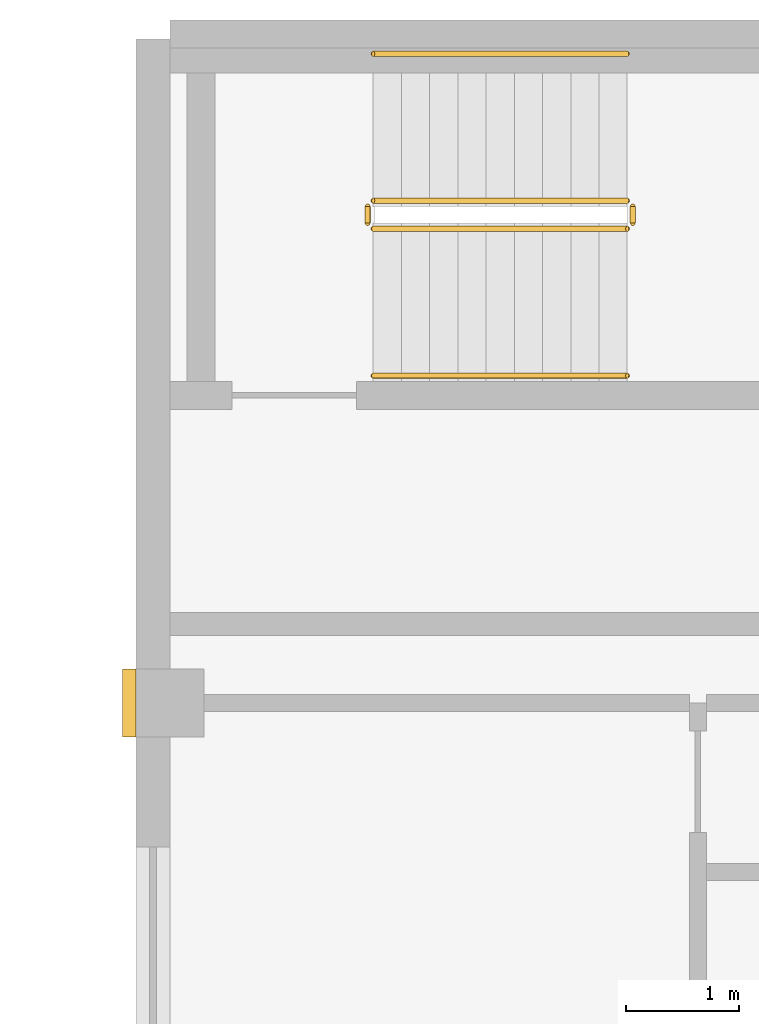
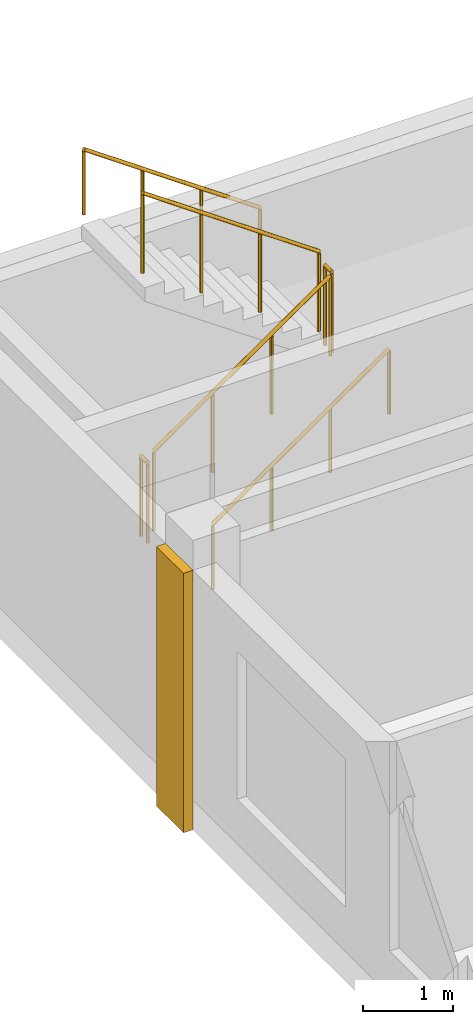
# One storey, part 10 of 10: 6 railings, 1 covering.
"""IFC4 building model written with IfcOpenShell, lengths in metres."""

from ifc_helpers import new_model, si_unit, direction, frame, origin, origin_2d, place, context, subcontext, project, spatial, rectangle, circle, extrude, source, transform, mapped, material, type_object, element, save


model = new_model("IFC4")

# Units and contexts
model_context = context("Model", 3, precision=1e-05, world=origin(), true_north=direction((0.0, 1.0)))
body_context = subcontext(model_context, "Body", "Model", "MODEL_VIEW")
ifc_project = project(units=[si_unit("LENGTHUNIT", "METRE"), si_unit("AREAUNIT", "SQUARE_METRE"), si_unit("VOLUMEUNIT", "CUBIC_METRE"), si_unit("PLANEANGLEUNIT", "RADIAN"), si_unit("MASSUNIT", "GRAM", prefix="KILO")], contexts=[model_context])

# Site, building, storey
site_placement = place(None, origin())
site = spatial("IfcSite", under=ifc_project, at=site_placement, CompositionType="ELEMENT")
building_placement = place(site_placement, origin())
building = spatial("IfcBuilding", under=site, at=building_placement, Name="Aurelian Terraces", CompositionType="ELEMENT")
storey_placement = place(building_placement, frame((0.0, 0.0, 361.5)))
storey = spatial("IfcBuildingStorey", under=building, at=storey_placement, Name="L86", CompositionType="ELEMENT", Elevation=361.5)

# Covering
ifc_material_1 = material(Name="Terracotta rainscreen cladding relief", Category="masonry")
covering_type = type_object("IfcCoveringType", Name="BAGUETTE-TC", PredefinedType="CLADDING", material=ifc_material_1)
shared_shape_1 = source(origin(), body_context, "Body", "SweptSolid", [
    extrude(rectangle(XDim=0.12, YDim=0.6, at=origin_2d()), origin(), (0.0, 0.0, 1.0), 3.5),
])
covering_placement = place(storey_placement, frame((10.44, 37.8, -0.4), z_axis=(0.0, 0.0, 1.0), x_axis=(1.0, 0.0, 0.0)))
element("IfcCovering", 1, at=covering_placement, inside=storey, type_object=covering_type, Name="BAGUETTE pier L86 7", PredefinedType="CLADDING", context=body_context, shape_type="MappedRepresentation", body=[
    mapped(shared_shape_1, transform((0.0, 0.0, 0.0), scale=1.0)),
])

# Railings
ifc_material_2 = material(Name="Stainless steel", Category="steel")
railing_type_1 = type_object("IfcRailingType", Name="Stair guard 1100", PredefinedType="GUARDRAIL", material=ifc_material_2)
shared_shape_2 = source(origin(), body_context, "Body", "SweptSolid", [
    extrude(circle(Radius=0.024, at=origin_2d()), frame((0.0, 0.0, 1.076), z_axis=(0.0, 1.0, 0.0), x_axis=(-1.0, 0.0, 0.0)), (0.0, 0.0, 1.0), 0.15),
    extrude(circle(Radius=0.021, at=origin_2d()), origin(), (0.0, 0.0, 1.0), 1.052),
    extrude(circle(Radius=0.021, at=origin_2d()), frame((0.0, 0.15, 0.0)), (0.0, 0.0, 1.0), 1.052),
])
for number, where, name in (
    (2, (14.9, 42.05, 1.75), "L86 S3U stair guard 2"),
    (3, (12.55, 42.05, 0.0), "L86 S3U stair guard 4"),
):
    element("IfcRailing", number, at=place(storey_placement, frame(where)), inside=storey, type_object=railing_type_1, Name=name, PredefinedType="GUARDRAIL", context=body_context, shape_type="MappedRepresentation", body=[
        mapped(shared_shape_2, transform((0.0, 0.0, 0.0), scale=1.0)),
    ])
shared_shape_3 = source(origin(), body_context, "Body", "SweptSolid", [
    extrude(circle(Radius=0.024, at=origin_2d()), frame((0.0, 0.0, 1.076), z_axis=(0.819231920519, 0.0, 0.573462344363), x_axis=(0.0, 1.0, 0.0)), (0.0, 0.0, 1.0), 2.7465),
    extrude(circle(Radius=0.021, at=origin_2d()), origin(), (0.0, 0.0, 1.0), 1.052),
    extrude(circle(Radius=0.021, at=origin_2d()), frame((0.75, 0.0, 0.525)), (0.0, 0.0, 1.0), 1.052),
    extrude(circle(Radius=0.021, at=origin_2d()), frame((1.5, 0.0, 1.05)), (0.0, 0.0, 1.0), 1.052),
    extrude(circle(Radius=0.021, at=origin_2d()), frame((2.25, 0.0, 1.575)), (0.0, 0.0, 1.0), 1.052),
])
railing_1_placement = place(storey_placement, frame((12.6, 42.0, 0.175)))
element("IfcRailing", 4, at=railing_1_placement, inside=storey, type_object=railing_type_1, Name="L86 S3U stair guard 1", PredefinedType="GUARDRAIL", context=body_context, shape_type="MappedRepresentation", body=[
    mapped(shared_shape_3, transform((0.0, 0.0, 0.0), scale=1.0)),
])
shared_shape_4 = source(origin(), body_context, "Body", "SweptSolid", [
    extrude(circle(Radius=0.024, at=origin_2d()), frame((0.0, 0.0, 1.076), z_axis=(-0.819231920519, 0.0, 0.573462344363), x_axis=(0.0, -1.0, 0.0)), (0.0, 0.0, 1.0), 2.7465),
    extrude(circle(Radius=0.021, at=origin_2d()), origin(), (0.0, 0.0, 1.0), 1.052),
    extrude(circle(Radius=0.021, at=origin_2d()), frame((-0.75, 0.0, 0.525)), (0.0, 0.0, 1.0), 1.052),
    extrude(circle(Radius=0.021, at=origin_2d()), frame((-1.5, 0.0, 1.05)), (0.0, 0.0, 1.0), 1.052),
    extrude(circle(Radius=0.021, at=origin_2d()), frame((-2.25, 0.0, 1.575)), (0.0, 0.0, 1.0), 1.052),
])
railing_2_placement = place(storey_placement, frame((14.85, 42.25, 1.925)))
element("IfcRailing", 5, at=railing_2_placement, inside=storey, type_object=railing_type_1, Name="L86 S3U stair guard 3", PredefinedType="GUARDRAIL", context=body_context, shape_type="MappedRepresentation", body=[
    mapped(shared_shape_4, transform((0.0, 0.0, 0.0), scale=1.0)),
])
railing_type_2 = type_object("IfcRailingType", Name="Stair handrail", PredefinedType="HANDRAIL", material=ifc_material_2)
shared_shape_5 = source(origin(), body_context, "Body", "SweptSolid", [
    extrude(circle(Radius=0.024, at=origin_2d()), frame((0.0, 0.0, 0.876), z_axis=(0.819231920519, 0.0, 0.573462344363), x_axis=(0.0, 1.0, 0.0)), (0.0, 0.0, 1.0), 2.7465),
    extrude(circle(Radius=0.021, at=origin_2d()), origin(), (0.0, 0.0, 1.0), 0.852),
    extrude(circle(Radius=0.021, at=origin_2d()), frame((0.75, 0.0, 0.525)), (0.0, 0.0, 1.0), 0.852),
    extrude(circle(Radius=0.021, at=origin_2d()), frame((1.5, 0.0, 1.05)), (0.0, 0.0, 1.0), 0.852),
    extrude(circle(Radius=0.021, at=origin_2d()), frame((2.25, 0.0, 1.575)), (0.0, 0.0, 1.0), 0.852),
])
railing_3_placement = place(storey_placement, frame((12.6, 40.7, 0.175)))
element("IfcRailing", 6, at=railing_3_placement, inside=storey, type_object=railing_type_2, Name="L86 S3U stair handrail 1", PredefinedType="HANDRAIL", context=body_context, shape_type="MappedRepresentation", body=[
    mapped(shared_shape_5, transform((0.0, 0.0, 0.0), scale=1.0)),
])
shared_shape_6 = source(origin(), body_context, "Body", "SweptSolid", [
    extrude(circle(Radius=0.024, at=origin_2d()), frame((0.0, 0.0, 0.876), z_axis=(-0.819231920519, 0.0, 0.573462344363), x_axis=(0.0, -1.0, 0.0)), (0.0, 0.0, 1.0), 2.7465),
    extrude(circle(Radius=0.021, at=origin_2d()), origin(), (0.0, 0.0, 1.0), 0.852),
    extrude(circle(Radius=0.021, at=origin_2d()), frame((-0.75, 0.0, 0.525)), (0.0, 0.0, 1.0), 0.852),
    extrude(circle(Radius=0.021, at=origin_2d()), frame((-1.5, 0.0, 1.05)), (0.0, 0.0, 1.0), 0.852),
    extrude(circle(Radius=0.021, at=origin_2d()), frame((-2.25, 0.0, 1.575)), (0.0, 0.0, 1.0), 0.852),
])
railing_4_placement = place(storey_placement, frame((14.85, 43.55, 1.925)))
element("IfcRailing", 7, at=railing_4_placement, inside=storey, type_object=railing_type_2, Name="L86 S3U stair handrail 2", PredefinedType="HANDRAIL", context=body_context, shape_type="MappedRepresentation", body=[
    mapped(shared_shape_6, transform((0.0, 0.0, 0.0), scale=1.0)),
])

save(model, "model.ifc")
